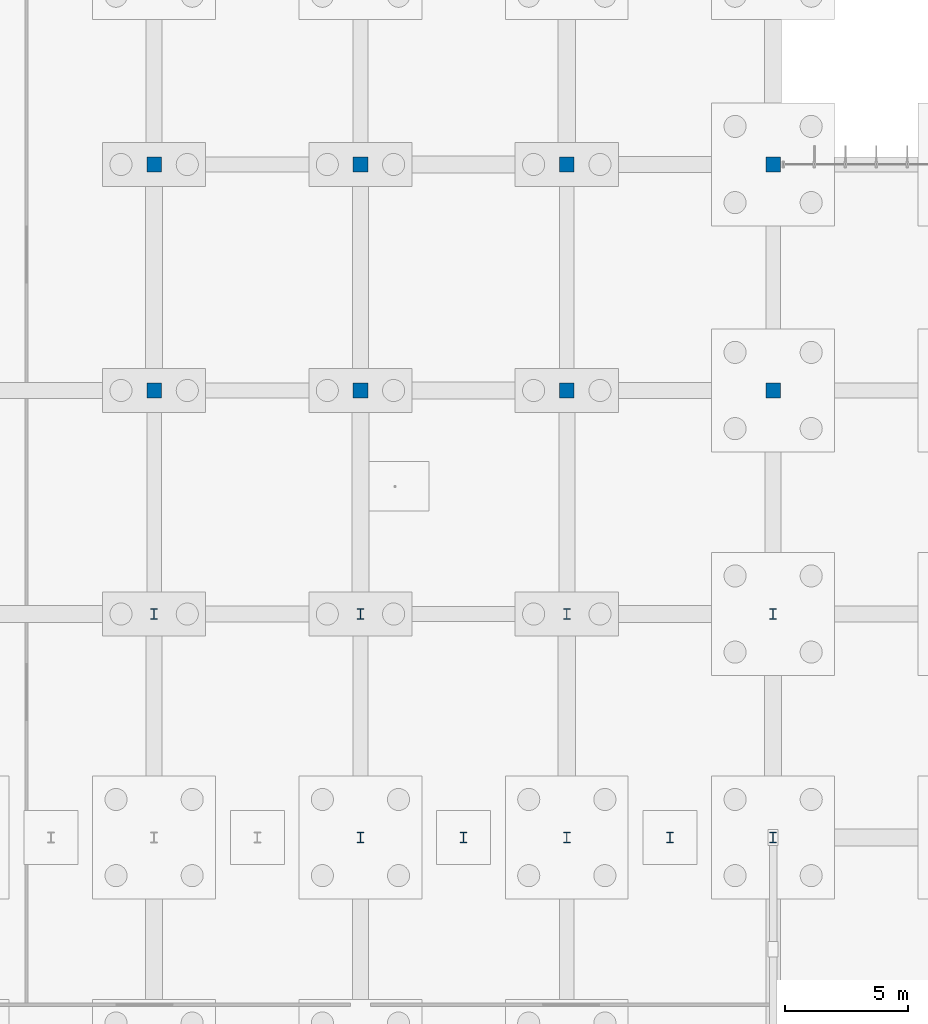
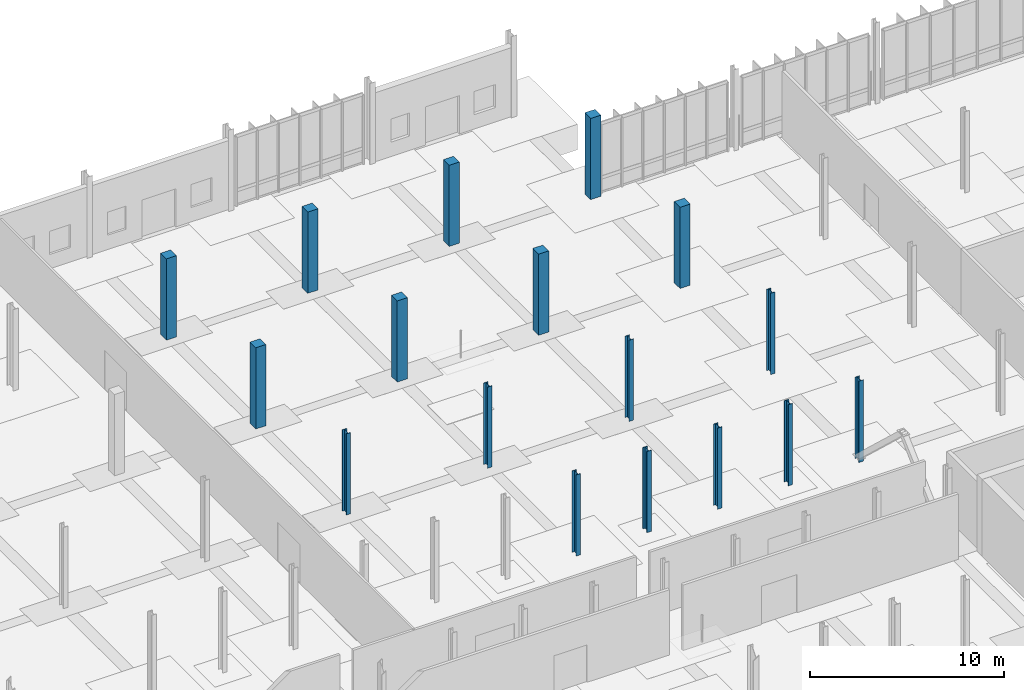
# One storey, part 22 of 119: 17 columns.
"""IFC4 building model written with IfcOpenShell, lengths in metres."""

from ifc_helpers import new_model, si_unit, derived_unit, direction, frame, origin, origin_2d, place, context, subcontext, project, spatial, rectangle, i_section, extrude, material, material_profile, profile_set, type_object, element, save


model = new_model("IFC4")

# Units and contexts
model_context = context("Model", 3, precision=1e-05, world=origin(), true_north=direction((0.0, 1.0)))
body_context = subcontext(model_context, "Body", "Model", "MODEL_VIEW")
ifc_project = project(units=[si_unit("LENGTHUNIT", "METRE"), si_unit("AREAUNIT", "SQUARE_METRE"), si_unit("VOLUMEUNIT", "CUBIC_METRE"), si_unit("PLANEANGLEUNIT", "RADIAN"), si_unit("MASSUNIT", "GRAM", prefix="KILO"), derived_unit("THERMALTRANSMITTANCEUNIT", [(si_unit("MASSUNIT", "GRAM", prefix="KILO"), 1), (si_unit("TIMEUNIT", "SECOND"), -3), (si_unit("THERMODYNAMICTEMPERATUREUNIT", "KELVIN"), -1)])], contexts=[model_context])

# Site, building, storey
site_placement = place(None, origin())
site = spatial("IfcSite", under=ifc_project, at=site_placement, CompositionType="ELEMENT")
building_placement = place(site_placement, origin())
building = spatial("IfcBuilding", under=site, at=building_placement, Name="Makaiwela Harbour Ferry Terminal", CompositionType="ELEMENT")
storey_placement = place(building_placement, origin())
storey = spatial("IfcBuildingStorey", under=building, at=storey_placement, Name="L00", CompositionType="ELEMENT", Elevation=0.0)

# Columns
ifc_material_1 = material(Name="Concrete f'c 45 MPa (6500 psi)", Category="concrete")
ifc_material_profile_1 = material_profile(ifc_material_1, rectangle(XDim=0.60009765625, YDim=0.60009765625, at=origin_2d()), Name="RC-600X600")
ifc_profile_set_1 = profile_set([ifc_material_profile_1], Name="Concrete f'c 45 MPa (6500 psi)")
column_type_1 = type_object("IfcColumnType", Name="STR-COL-RC600", PredefinedType="COLUMN", material=ifc_profile_set_1)
for number, where, z_axis, x_axis, name in (
    (1, (113.39990234375, 85.800048828125, 0.0), (0.0, 0.0, 1.0), (1.0, 0.0, 0.0), "Structural Column C-09"),
    (2, (113.39990234375, 95.0, 0.0), (0.0, 0.0, 1.0), (1.0, 0.0, 0.0), "Structural Column C-09"),
    (3, (121.800048828125, 85.800048828125, 0.0), (0.0, 0.0, 1.0), (1.0, 0.0, 0.0), "Structural Column C-09"),
    (4, (121.800048828125, 95.0, 0.0), (0.0, 0.0, 1.0), (1.0, 0.0, 0.0), "Structural Column C-09"),
    (5, (130.199951171875, 85.800048828125, 0.0), (0.0, 0.0, 1.0), (1.0, 0.0, 0.0), "Structural Column C-09"),
    (6, (130.199951171875, 95.0, 0.0), (0.0, 0.0, 1.0), (1.0, 0.0, 0.0), "Structural Column C-09"),
    (7, (138.60009765625, 85.800048828125, 0.0), (0.0, 0.0, 1.0), (1.0, 0.0, 0.0), "Structural Column C-09"),
    (8, (138.60009765625, 95.0, 0.0), (0.0, 0.0, 1.0), (1.0, 0.0, 0.0), "Structural Column C-09"),
):
    element("IfcColumn", number, at=place(storey_placement, frame(where, z_axis=z_axis, x_axis=x_axis)), inside=storey, type_object=column_type_1, Name=name, PredefinedType="COLUMN", context=body_context, shape_type="SweptSolid", body=[
        extrude(rectangle(XDim=0.60009765625, YDim=0.60009765625, at=origin_2d()), origin(), (0.0, 0.0, 1.0), 5.10009765625),
    ])
ifc_material_2 = material(Name="Steel ASTM A992 Grade 50", Category="steel")
ifc_material_profile_2 = material_profile(ifc_material_2, i_section(OverallWidth=0.264892578125, OverallDepth=0.430908203125, WebThickness=0.014892578125, FlangeThickness=0.02490234375, at=origin_2d()), Name="W16X100")
ifc_profile_set_2 = profile_set([ifc_material_profile_2], Name="Steel ASTM A992 Grade 50")
column_type_2 = type_object("IfcColumnType", Name="STR-COL-W16X100", PredefinedType="COLUMN", material=ifc_profile_set_2)
for number, where, z_axis, x_axis, name in (
    (9, (113.39990234375, 76.699951171875, 0.0), (0.0, 0.0, 1.0), (1.0, 0.0, 0.0), "Structural Column C-03"),
    (10, (121.800048828125, 67.60009765625, 0.0), (0.0, 0.0, 1.0), (1.0, 0.0, 0.0), "Structural Column C-03"),
    (11, (121.800048828125, 76.699951171875, 0.0), (0.0, 0.0, 1.0), (1.0, 0.0, 0.0), "Structural Column C-03"),
    (12, (130.199951171875, 67.60009765625, 0.0), (0.0, 0.0, 1.0), (1.0, 0.0, 0.0), "Structural Column C-03"),
    (13, (130.199951171875, 76.699951171875, 0.0), (0.0, 0.0, 1.0), (1.0, 0.0, 0.0), "Structural Column C-03"),
    (14, (138.60009765625, 67.60009765625, 0.0), (0.0, 0.0, 1.0), (1.0, 0.0, 0.0), "Structural Column C-03"),
    (15, (138.60009765625, 76.699951171875, 0.0), (0.0, 0.0, 1.0), (1.0, 0.0, 0.0), "Structural Column C-03"),
    (16, (126.0, 67.60009765625, 0.0), (0.0, 0.0, 1.0), (1.0, 0.0, 0.0), "Structural Column C-03"),
    (17, (134.39990234375, 67.60009765625, 0.0), (0.0, 0.0, 1.0), (1.0, 0.0, 0.0), "Structural Column C-03"),
):
    element("IfcColumn", number, at=place(storey_placement, frame(where, z_axis=z_axis, x_axis=x_axis)), inside=storey, type_object=column_type_2, Name=name, PredefinedType="COLUMN", context=body_context, shape_type="SweptSolid", body=[
        extrude(i_section(OverallWidth=0.264892578125, OverallDepth=0.430908203125, WebThickness=0.014892578125, FlangeThickness=0.02490234375, at=origin_2d()), origin(), (0.0, 0.0, 1.0), 5.10009765625),
    ])

save(model, "model.ifc")
